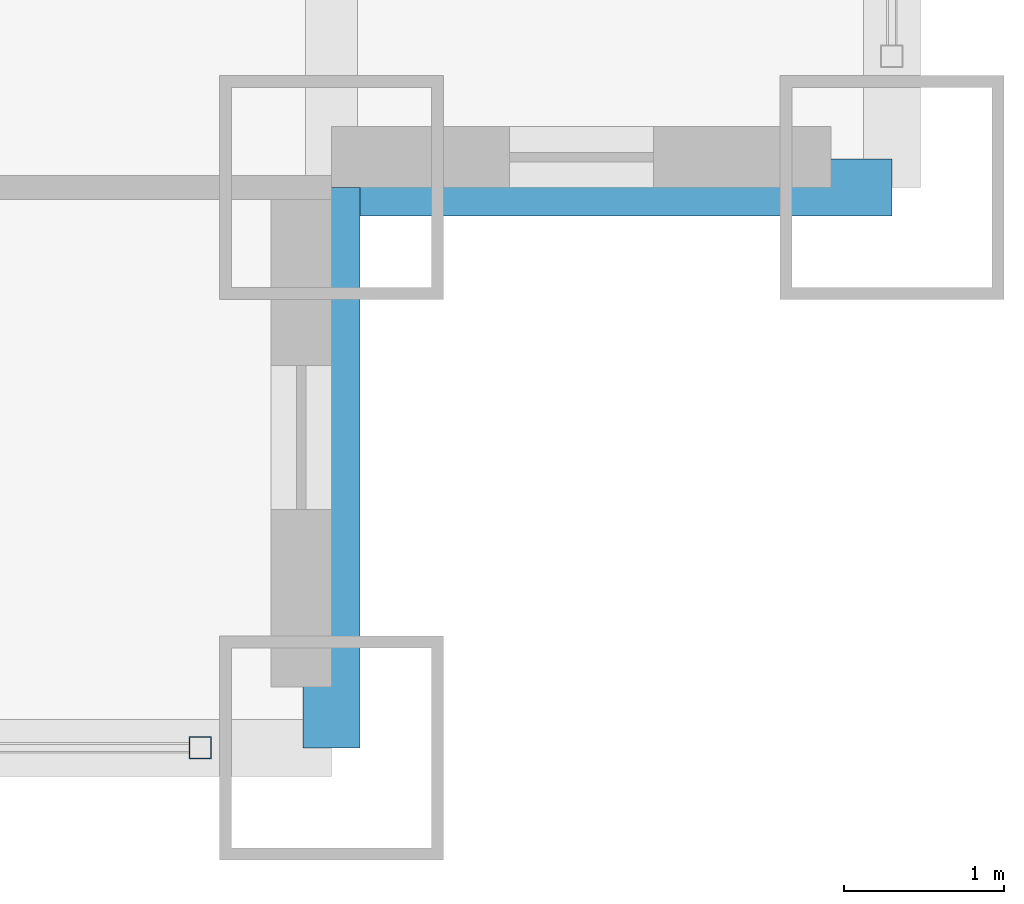
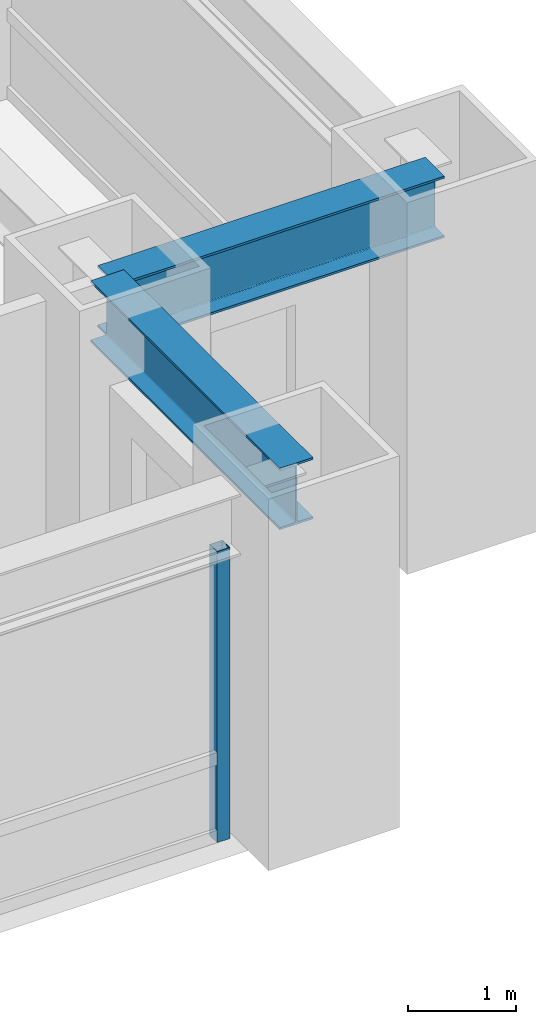
# One storey, part 6 of 28: 2 beams, 1 member, 1 element without a shape of its own.
"""IFC4 building model written with IfcOpenShell, lengths in metres."""

from ifc_helpers import new_model, si_unit, direction, frame, origin, origin_2d, place, context, subcontext, project, spatial, hollow_rectangle, i_section, extrude, source, transform, mapped, material, material_profile, profile_set, type_object, element, aggregate, save


model = new_model("IFC4")

# Units and contexts
model_context = context("Model", 3, precision=1e-05, world=origin(), true_north=direction((0.0, 1.0)))
body_context = subcontext(model_context, "Body", "Model", "MODEL_VIEW")
ifc_project = project(units=[si_unit("LENGTHUNIT", "METRE"), si_unit("AREAUNIT", "SQUARE_METRE"), si_unit("VOLUMEUNIT", "CUBIC_METRE"), si_unit("PLANEANGLEUNIT", "RADIAN"), si_unit("MASSUNIT", "GRAM", prefix="KILO")], contexts=[model_context])

# Site, building, storey
site_placement = place(None, origin())
site = spatial("IfcSite", under=ifc_project, at=site_placement, CompositionType="ELEMENT")
building_placement = place(site_placement, origin())
building = spatial("IfcBuilding", under=site, at=building_placement, Name="Khorayat Bourse Tower", CompositionType="ELEMENT")
storey_placement = place(building_placement, frame((0.0, 0.0, 83.0)))
storey = spatial("IfcBuildingStorey", under=building, at=storey_placement, Name="L18", CompositionType="ELEMENT", Elevation=83.0)

# Beams
ifc_material_1 = material(Name="Steel ASTM A992 Grade 50", Category="steel")
ifc_material_profile_1 = material_profile(ifc_material_1, i_section(OverallWidth=0.35498046875, OverallDepth=0.695068359375, WebThickness=0.015380859375, FlangeThickness=0.02490234375, FilletRadius=0.01806640625, at=origin_2d()), Name="W690X217")
ifc_profile_set_1 = profile_set([ifc_material_profile_1], Name="Steel ASTM A992 Grade 50")
beam_type = type_object("IfcBeamType", Name="BM-SPAN-690", PredefinedType="SPANDREL", material=ifc_profile_set_1)
shared_shape_1 = source(origin(), body_context, "Body", "SweptSolid", [
    extrude(i_section(OverallWidth=0.35498046875, OverallDepth=0.695068359375, WebThickness=0.015380859375, FlangeThickness=0.02490234375, FilletRadius=0.01806640625, at=origin_2d()), origin(), (0.0, 0.0, 1.0), 3.5),
])
for number, where, z_axis, x_axis, name in (
    (1, (28.5, -32.0, 3.592529296875), (0.0, 1.0, 0.0), (-1.0, 0.0, 0.0), "L18 BM-SPAN-690 BM-L18-SPN-032"),
    (2, (28.5, -28.5, 3.592529296875), (1.0, 0.0, 0.0), (0.0, 1.0, 0.0), "L18 BM-SPAN-690 BM-L18-SPN-033"),
):
    element("IfcBeam", number, at=place(storey_placement, frame(where, z_axis=z_axis, x_axis=x_axis)), inside=storey, type_object=beam_type, Name=name, PredefinedType="SPANDREL", context=body_context, shape_type="MappedRepresentation", body=[
        mapped(shared_shape_1, transform((0.0, 0.0, 0.0), scale=1.0)),
    ])

# Curtain wall, member
ifc_material_2 = material(Name="Aluminium EN AW-6063 T6", Category="aluminium")
curtain_wall_type = type_object("IfcCurtainWallType", Name="CW-SYS-02", PredefinedType="NOTDEFINED", material=ifc_material_2)
curtain_wall_placement = place(storey_placement, origin())
curtain_wall = element("IfcCurtainWall", 3, at=curtain_wall_placement, inside=storey, type_object=curtain_wall_type, Name="L18 Curtain Wall CW-L18-S1", PredefinedType="NOTDEFINED")
ifc_material_profile_2 = material_profile(ifc_material_2, hollow_rectangle(XDim=0.139892578125, YDim=0.139892578125, WallThickness=0.006103515625, at=origin_2d()), Name="ALU 140x140x6")
ifc_profile_set_2 = profile_set([ifc_material_profile_2], Name="Aluminium EN AW-6063 T6")
member_type = type_object("IfcMemberType", Name="CWM-VERT-140", PredefinedType="MULLION", material=ifc_profile_set_2)
shared_shape_2 = source(origin(), body_context, "Body", "SweptSolid", [
    extrude(hollow_rectangle(XDim=0.139892578125, YDim=0.139892578125, WallThickness=0.006103515625, at=origin_2d()), origin(), (0.0, 0.0, 1.0), 3.2900390625),
])
member_placement = place(storey_placement, frame((27.679931640625, -32.0, 0.0), z_axis=(0.0, 0.0, 1.0), x_axis=(0.0, 1.0, 0.0)))
member = element("IfcMember", 4, at=member_placement, type_object=member_type, Name="CW-L18-S1 Vertical Mullion 3", PredefinedType="MULLION", context=body_context, shape_type="MappedRepresentation", body=[
    mapped(shared_shape_2, transform((0.0, 0.0, 0.0), scale=1.0)),
])
aggregate(curtain_wall, [member])

save(model, "model.ifc")
